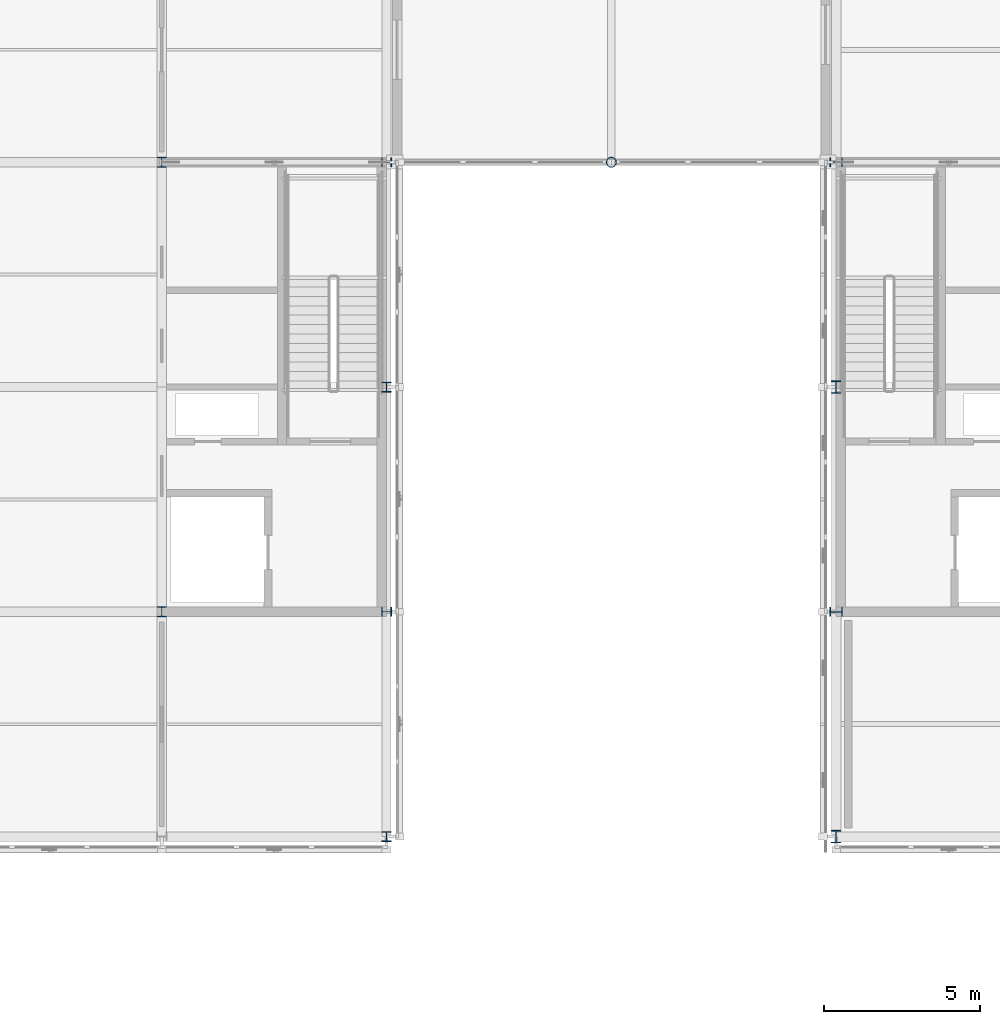
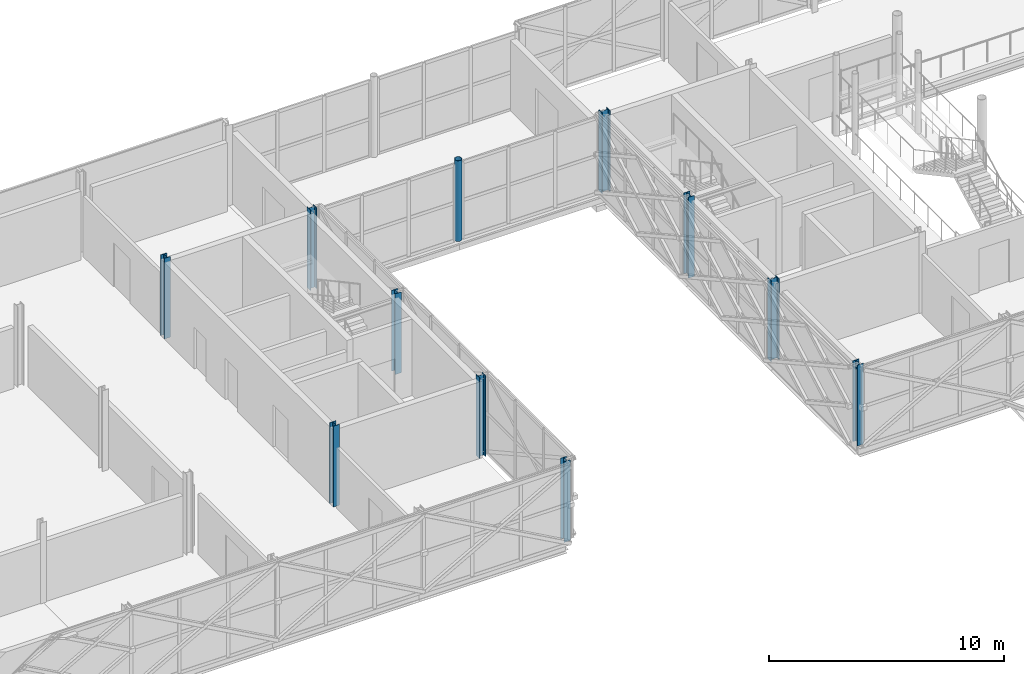
# One storey, part 2 of 146: 11 columns.
"""IFC4 building model written with IfcOpenShell, lengths in metres."""

import ifcopenshell
import ifcopenshell.guid

model = None  # the IFC model being written
_history = None  # IfcOwnerHistory: only IFC2X3 demands one
_inside = {}  # id of a spatial element -> (the spatial element, [elements in it])
_under = {}  # id of a project, library or spatial element -> (it, [spatial elements below it])
_declared = {}  # id of a project -> (the project, [libraries it declares])
_typed = {}  # id of a type object -> (the type object, [elements of that type])
_made_of = {}  # id of a material, layer set ... -> (it, [elements and type objects made of it])


def new_model(schema):
    """Start an empty IFC model of exactly this schema.

    Asked for "IFC4X3", IfcOpenShell would pick the latest addendum, in which some entities
    have other attributes; the version numbers below select the first issue.
    IFC2X3 requires an IfcOwnerHistory on every rooted entity: one is made here for all.
    """
    global model, _history
    if schema == "IFC4X3":
        model = ifcopenshell.file(schema_version=(4, 3, 0, 0))
    else:
        model = ifcopenshell.file(schema=schema)
    _inside.clear()
    _under.clear()
    _declared.clear()
    _typed.clear()
    _made_of.clear()
    _history = None
    if model.schema == "IFC2X3":
        org = make("IfcOrganization", Name="unknown")
        user = make(
            "IfcPersonAndOrganization",
            ThePerson=make("IfcPerson", FamilyName="unknown"),
            TheOrganization=org,
        )
        app = make(
            "IfcApplication",
            ApplicationDeveloper=org,
            Version="unknown",
            ApplicationFullName="unknown",
            ApplicationIdentifier="unknown",
        )
        _history = make(
            "IfcOwnerHistory",
            OwningUser=user,
            OwningApplication=app,
            ChangeAction="ADDED",
            CreationDate=0,
        )
    return model


def make(cls, **values):
    """One entity of the class cls with the attributes given. An attribute that is None is left unset."""
    return model.create_entity(
        cls, **{name: value for name, value in values.items() if value is not None}
    )


def rooted(cls, **values):
    """An entity with a GlobalId (a new one), such as an element, a storey or a relation."""
    return make(cls, GlobalId=ifcopenshell.guid.new(), OwnerHistory=_history, **values)


def si_unit(unit_type, name, prefix=None):
    """IfcSIUnit, for example si_unit("LENGTHUNIT", "METRE", prefix="MILLI")."""
    return make("IfcSIUnit", UnitType=unit_type, Prefix=prefix, Name=name)


def assignment(units):
    """IfcUnitAssignment: the units of a project."""
    return None if units is None else make("IfcUnitAssignment", Units=units)


def point(xyz):
    """IfcCartesianPoint."""
    return None if xyz is None else make("IfcCartesianPoint", Coordinates=xyz)


def direction(xyz):
    """IfcDirection."""
    return None if xyz is None else make("IfcDirection", DirectionRatios=xyz)


def frame(location, z_axis=None, x_axis=None):
    """IfcAxis2Placement3D, a coordinate frame: its origin and axes. An axis left out is left unset."""
    return make(
        "IfcAxis2Placement3D",
        Location=point(location),
        Axis=direction(z_axis),
        RefDirection=direction(x_axis),
    )


def frame_2d(location, x_axis=None):
    """IfcAxis2Placement2D, a coordinate frame in the plane: its origin and x axis."""
    return make(
        "IfcAxis2Placement2D", Location=point(location), RefDirection=direction(x_axis)
    )


def origin():
    """The frame at (0, 0, 0) with its axes left unset."""
    return frame((0.0, 0.0, 0.0))


def origin_2d():
    """The frame at (0, 0) in the plane with its x axis left unset."""
    return frame_2d((0.0, 0.0))


def place(relative_to, where):
    """IfcLocalPlacement: puts the frame where relative to a parent placement (None: the world)."""
    return make(
        "IfcLocalPlacement", PlacementRelTo=relative_to, RelativePlacement=where
    )


def context(
    kind, dimensions, precision=None, world=None, true_north=None, identifier=None
):
    """IfcGeometricRepresentationContext, for example the 3D "Model" context."""
    return make(
        "IfcGeometricRepresentationContext",
        ContextIdentifier=identifier,
        ContextType=kind,
        CoordinateSpaceDimension=dimensions,
        Precision=precision,
        WorldCoordinateSystem=world,
        TrueNorth=true_north,
    )


def subcontext(parent, identifier, kind, view, scale=None):
    """IfcGeometricRepresentationSubContext, for example "Body" below "Model"."""
    return make(
        "IfcGeometricRepresentationSubContext",
        ContextIdentifier=identifier,
        ContextType=kind,
        ParentContext=parent,
        TargetScale=scale,
        TargetView=view,
    )


def project(units=None, contexts=None):
    """IfcProject with its units and contexts."""
    return rooted(
        "IfcProject",
        Name="project",
        RepresentationContexts=contexts,
        UnitsInContext=assignment(units),
    )


def spatial(cls, under=None, at=None, **own):
    """A site, building, storey or space (cls), placed at a placement, below another one or the project."""
    s = rooted(cls, ObjectPlacement=at, **own)
    if under is not None:
        _under.setdefault(under.id(), (under, []))[1].append(s)
    return s


def profile(cls, at=None, kind="AREA", **sizes):
    """A parametric profile (cls). Its sizes go by their IFC names, for example OverallWidth=200.0."""
    return make(cls, ProfileType=kind, Position=at, **sizes)


def hollow_circle(**sizes):
    """IfcCircleHollowProfileDef."""
    return profile("IfcCircleHollowProfileDef", **sizes)


def i_section(**sizes):
    """IfcIShapeProfileDef."""
    return profile("IfcIShapeProfileDef", **sizes)


def extrude(swept, where, along, depth):
    """IfcExtrudedAreaSolid: the profile swept, set in the frame where, extruded along a direction by depth."""
    return make(
        "IfcExtrudedAreaSolid",
        SweptArea=swept,
        Position=where,
        ExtrudedDirection=direction(along),
        Depth=depth,
    )


def shape(context_of_items, identifier, shape_type, items):
    """IfcShapeRepresentation: the items that make up one representation, for example the "Body"."""
    return make(
        "IfcShapeRepresentation",
        ContextOfItems=context_of_items,
        RepresentationIdentifier=identifier,
        RepresentationType=shape_type,
        Items=items,
    )


def material(Name=None, Category=None):
    """IfcMaterial."""
    return make("IfcMaterial", Name=Name, Category=Category)


def material_profile(
    of_material, cross_section, Name=None, Category=None, Priority=None
):
    """IfcMaterialProfile: a cross section and its material."""
    return make(
        "IfcMaterialProfile",
        Name=Name,
        Material=of_material,
        Profile=cross_section,
        Priority=Priority,
        Category=Category,
    )


def profile_set(profiles, Name=None, composite=None):
    """IfcMaterialProfileSet."""
    return make(
        "IfcMaterialProfileSet",
        Name=Name,
        MaterialProfiles=profiles,
        CompositeProfile=composite,
    )


def made_of(thing, what):
    """Note that an element or type object is made of a material, layer set ...; save() writes the relation."""
    if what is not None:
        _made_of.setdefault(what.id(), (what, []))[1].append(thing)
    return thing


def type_object(cls, material=None, **own):
    """A type object (cls), such as IfcWallType, which elements share."""
    return made_of(rooted(cls, **own), material)


def element(
    cls,
    number,
    at=None,
    inside=None,
    cuts=None,
    type_object=None,
    material=None,
    context=None,
    identifier="Body",
    shape_type=None,
    held_by="IfcProductDefinitionShape",
    body=None,
    shapes=None,
    **own,
):
    """One element of the class cls, such as IfcWall. Its Tag is "e" and its number.

    at: its placement. inside: the storey or other place that contains it. cuts: it is an
    opening in that element (IfcRelVoidsElement). A single representation is given by context,
    identifier, shape_type and body (its items); several are given by shapes. held_by: the class
    of the entity that holds the representations. save() writes the other relations.
    """
    e = rooted(cls, Tag="e%d" % number, ObjectPlacement=at, **own)
    if body is not None:
        shapes = [shape(context, identifier, shape_type, body)]
    if shapes is not None:
        e.Representation = make(held_by, Representations=shapes)
    if inside is not None:
        _inside.setdefault(inside.id(), (inside, []))[1].append(e)
    if cuts is not None:
        rooted(
            "IfcRelVoidsElement", RelatingBuildingElement=cuts, RelatedOpeningElement=e
        )
    if type_object is not None:
        _typed.setdefault(type_object.id(), (type_object, []))[1].append(e)
    return made_of(e, material)


def aggregate(whole, parts):
    """IfcRelAggregates: a whole, such as a stair, and the parts it consists of."""
    return rooted("IfcRelAggregates", RelatingObject=whole, RelatedObjects=parts)


def save(model, path):
    """Write the relations noted so far, then the file.

    IfcRelAggregates (storeys below a building ...), IfcRelContainedInSpatialStructure (elements
    in a storey), IfcRelDefinesByType, IfcRelAssociatesMaterial and IfcRelDeclares: one each for
    every whole, place, type object, material and project.
    """
    for whole, parts in _under.values():
        aggregate(whole, parts)
    for where, things in _inside.values():
        rooted(
            "IfcRelContainedInSpatialStructure",
            RelatedElements=things,
            RelatingStructure=where,
        )
    for kind, things in _typed.values():
        rooted("IfcRelDefinesByType", RelatedObjects=things, RelatingType=kind)
    for what, things in _made_of.values():
        rooted("IfcRelAssociatesMaterial", RelatedObjects=things, RelatingMaterial=what)
    for by, libraries in _declared.values():
        rooted("IfcRelDeclares", RelatingContext=by, RelatedDefinitions=libraries)
    model.write(path)


model = new_model("IFC4")

# Units and contexts
model_context = context("Model", 3, precision=1e-05, world=origin(), true_north=direction((0.0, 1.0)))
body_context = subcontext(model_context, "Body", "Model", "MODEL_VIEW")
ifc_project = project(units=[si_unit("LENGTHUNIT", "METRE"), si_unit("AREAUNIT", "SQUARE_METRE"), si_unit("VOLUMEUNIT", "CUBIC_METRE"), si_unit("PLANEANGLEUNIT", "RADIAN"), si_unit("MASSUNIT", "GRAM", prefix="KILO")], contexts=[model_context])

# Site, building, storey
site_placement = place(None, origin())
site = spatial("IfcSite", under=ifc_project, at=site_placement, CompositionType="ELEMENT")
building_placement = place(site_placement, origin())
building = spatial("IfcBuilding", under=site, at=building_placement, Name="Zlatovets Crest Museum", CompositionType="ELEMENT")
storey_placement = place(building_placement, frame((0.0, 0.0, 4.5)))
storey = spatial("IfcBuildingStorey", under=building, at=storey_placement, Name="L01", CompositionType="ELEMENT", Elevation=4.5)

# Columns
ifc_material = material(Name="Structural steel S355J2", Category="steel")
ifc_material_profile_1 = material_profile(ifc_material, i_section(OverallWidth=0.300048828125, OverallDepth=0.39990234375, WebThickness=0.013427734375, FlangeThickness=0.02392578125, FilletRadius=0.027099609375, at=origin_2d()), Name="HEB 400")
ifc_profile_set_1 = profile_set([ifc_material_profile_1], Name="Structural steel S355J2")
column_type_1 = type_object("IfcColumnType", Name="Col_C-07", PredefinedType="COLUMN", material=ifc_profile_set_1)
for number, where, z_axis, x_axis, name in (
    (1, (57.60009765625, 0.0, 0.0), (0.0, 0.0, 1.0), (1.0, 0.0, 0.0), "V2 L01 Column (57.6, 0.0)"),
    (2, (57.60009765625, 7.199951171875, 0.0), (0.0, 0.0, 1.0), (0.0, 1.0, 0.0), "V2 L01 Column (57.6, 7.2)"),
    (3, (57.60009765625, 14.39990234375, 0.0), (0.0, 0.0, 1.0), (1.0, 0.0, 0.0), "V2 L01 Column (57.6, 14.4)"),
    (4, (57.60009765625, 21.60009765625, 0.0), (0.0, 0.0, 1.0), (0.0, 1.0, 0.0), "V2 L01 Column (57.6, 21.6)"),
):
    element("IfcColumn", number, at=place(storey_placement, frame(where, z_axis=z_axis, x_axis=x_axis)), inside=storey, type_object=column_type_1, Name=name, PredefinedType="COLUMN", context=body_context, shape_type="SweptSolid", body=[
        extrude(i_section(OverallWidth=0.300048828125, OverallDepth=0.39990234375, WebThickness=0.013427734375, FlangeThickness=0.02392578125, FilletRadius=0.027099609375, at=origin_2d()), origin(), (0.0, 0.0, 1.0), 4.199951171875),
    ])
ifc_material_profile_2 = material_profile(ifc_material, hollow_circle(Radius=0.161865234375, WallThickness=0.012451171875, at=origin_2d()), Name="CHS 323.9x12.5")
ifc_profile_set_2 = profile_set([ifc_material_profile_2], Name="Structural steel S355J2")
column_type_2 = type_object("IfcColumnType", Name="Col_C-13", PredefinedType="COLUMN", material=ifc_profile_set_2)
column_placement = place(storey_placement, frame((50.39990234375, 21.60009765625, 0.0), z_axis=(0.0, 0.0, 1.0), x_axis=(1.0, 0.0, 0.0)))
element("IfcColumn", 5, at=column_placement, inside=storey, type_object=column_type_2, Name="South Forecourt Glazed Link Bridge Portal Column", PredefinedType="COLUMN", context=body_context, shape_type="SweptSolid", body=[
    extrude(hollow_circle(Radius=0.161865234375, WallThickness=0.012451171875, at=origin_2d()), origin(), (0.0, 0.0, 1.0), 4.199951171875),
])
ifc_material_profile_3 = material_profile(ifc_material, i_section(OverallWidth=0.300048828125, OverallDepth=0.320068359375, WebThickness=0.011474609375, FlangeThickness=0.0205078125, FilletRadius=0.027099609375, at=origin_2d()), Name="HEB 320")
ifc_profile_set_3 = profile_set([ifc_material_profile_3], Name="Structural steel S355J2")
column_type_3 = type_object("IfcColumnType", Name="Col_C-16", PredefinedType="COLUMN", material=ifc_profile_set_3)
for number, where, z_axis, x_axis, name in (
    (6, (36.0, 7.199951171875, 0.0), (0.0, 0.0, 1.0), (1.0, 0.0, 0.0), "V3 L01 Column (36.0, 7.2)"),
    (7, (36.0, 21.60009765625, 0.0), (0.0, 0.0, 1.0), (1.0, 0.0, 0.0), "V3 L01 Column (36.0, 21.6)"),
    (8, (43.199951171875, 0.0, 0.0), (0.0, 0.0, 1.0), (1.0, 0.0, 0.0), "V3 L01 Column (43.2, 0.0)"),
    (9, (43.199951171875, 7.199951171875, 0.0), (0.0, 0.0, 1.0), (0.0, 1.0, 0.0), "V3 L01 Column (43.2, 7.2)"),
    (10, (43.199951171875, 14.39990234375, 0.0), (0.0, 0.0, 1.0), (1.0, 0.0, 0.0), "V3 L01 Column (43.2, 14.4)"),
    (11, (43.199951171875, 21.60009765625, 0.0), (0.0, 0.0, 1.0), (0.0, 1.0, 0.0), "V3 L01 Column (43.2, 21.6)"),
):
    element("IfcColumn", number, at=place(storey_placement, frame(where, z_axis=z_axis, x_axis=x_axis)), inside=storey, type_object=column_type_3, Name=name, PredefinedType="COLUMN", context=body_context, shape_type="SweptSolid", body=[
        extrude(i_section(OverallWidth=0.300048828125, OverallDepth=0.320068359375, WebThickness=0.011474609375, FlangeThickness=0.0205078125, FilletRadius=0.027099609375, at=origin_2d()), origin(), (0.0, 0.0, 1.0), 4.199951171875),
    ])

save(model, "model.ifc")
